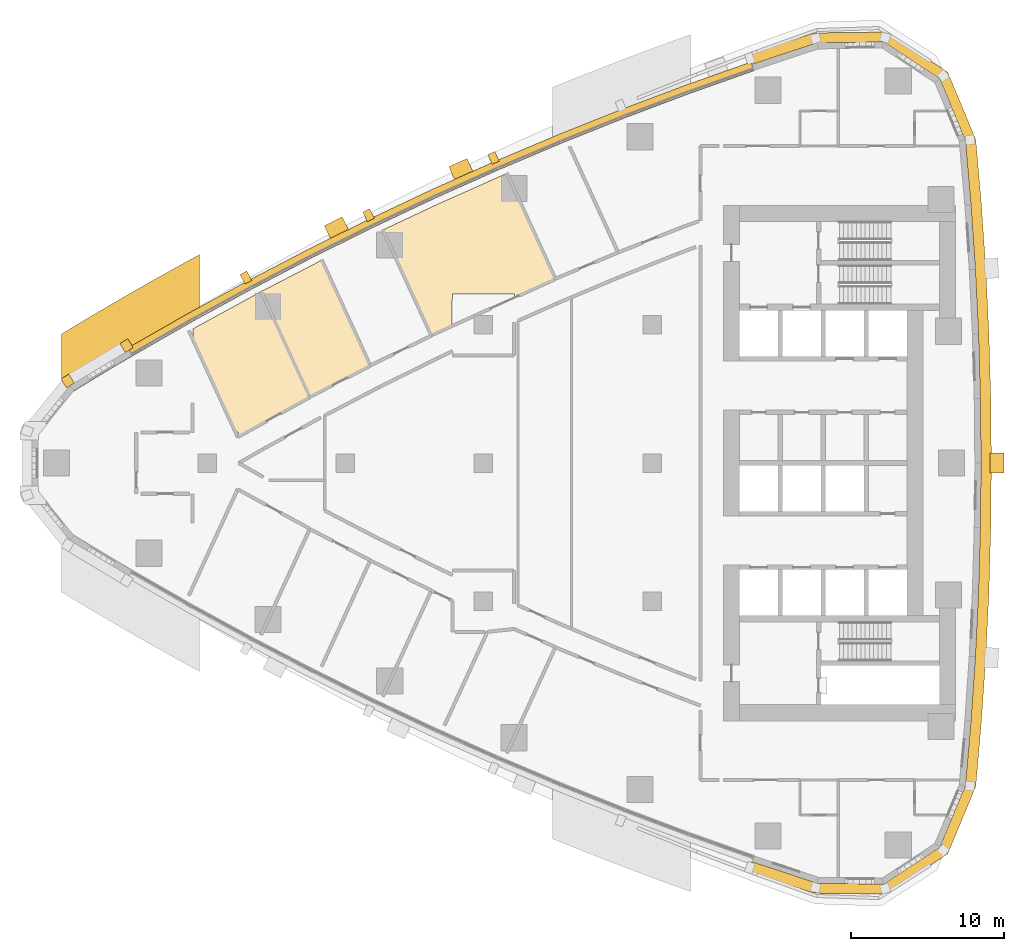
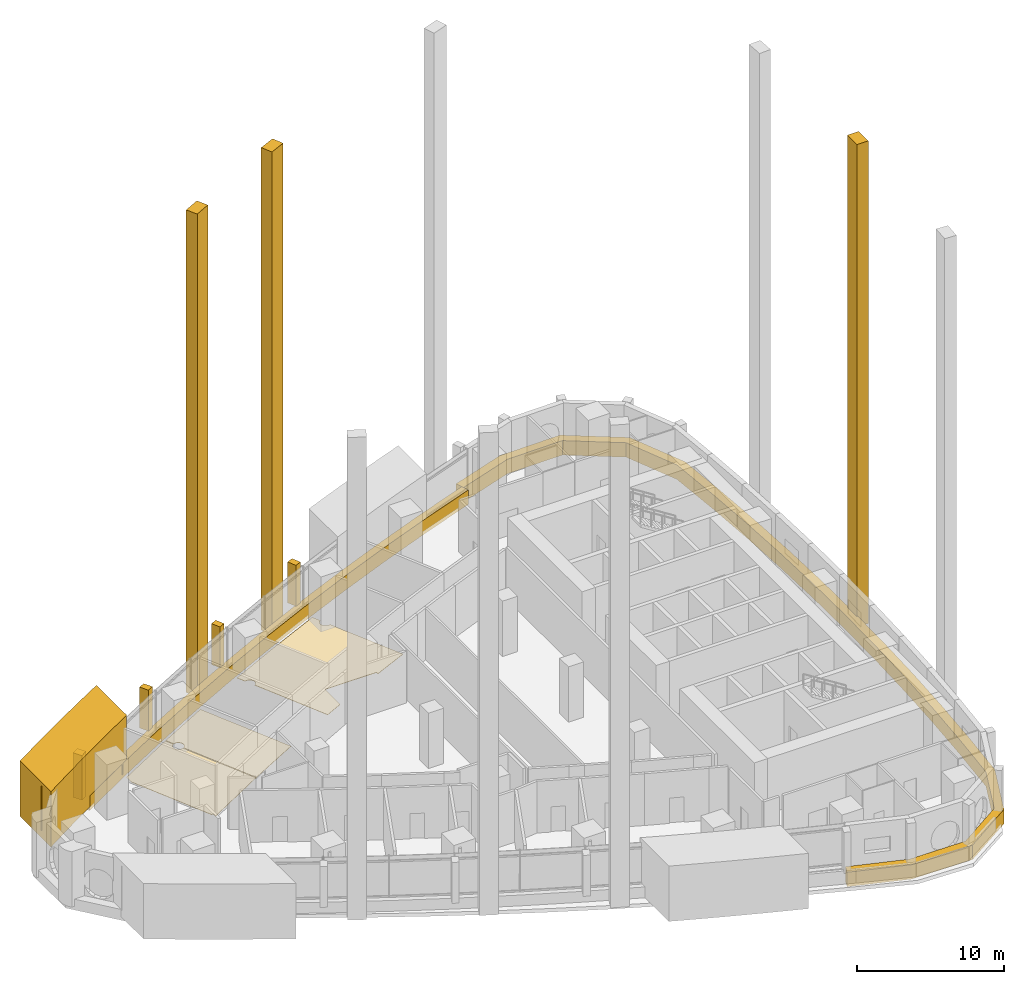
# One storey, part 15 of 17: 14 coverings.
"""IFC4 building model written with IfcOpenShell, lengths in metres."""

from ifc_helpers import new_model, si_unit, direction, frame, frame_2d, origin, place, context, subcontext, project, spatial, polyline, rectangle, outline, extrude, material, layer, layer_set, type_object, element, save


model = new_model("IFC4")

# Units and contexts
model_context = context("Model", 3, precision=1e-05, world=origin(), true_north=direction((0.0, 1.0)))
body_context = subcontext(model_context, "Body", "Model", "MODEL_VIEW")
ifc_project = project(units=[si_unit("LENGTHUNIT", "METRE"), si_unit("AREAUNIT", "SQUARE_METRE"), si_unit("VOLUMEUNIT", "CUBIC_METRE"), si_unit("PLANEANGLEUNIT", "RADIAN"), si_unit("MASSUNIT", "GRAM", prefix="KILO")], contexts=[model_context])

# Site, building, storey
site_placement = place(None, origin())
site = spatial("IfcSite", under=ifc_project, at=site_placement, CompositionType="ELEMENT")
building_placement = place(site_placement, origin())
building = spatial("IfcBuilding", under=site, at=building_placement, Name="Ostrand Prow Hotel Tower", CompositionType="ELEMENT")
storey_placement = place(building_placement, frame((0.0, 0.0, 80.300048828125)))
storey = spatial("IfcBuildingStorey", under=building, at=storey_placement, Name="L18", CompositionType="ELEMENT", Elevation=80.300048828125)

# Coverings
ifc_material_1 = material(Name="Bronze anodised aluminium cladding", Category="aluminium")
ifc_layer_1 = layer(ifc_material_1, 0.60009765625)
ifc_layer_set_1 = layer_set([ifc_layer_1], Name="Bronze anodised aluminium cladding")
covering_type_1 = type_object("IfcCoveringType", Name="Bronze spandrel band 1200x600", PredefinedType="CLADDING", material=ifc_layer_set_1)
covering_1_placement = place(storey_placement, frame((0.0, 0.0, -0.300048828125)))
element("IfcCovering", 1, at=covering_1_placement, inside=storey, type_object=covering_type_1, Name="Spandrel band N1", PredefinedType="CLADDING", context=body_context, shape_type="SweptSolid", body=[
    extrude(outline(polyline([(51.4501953125, 26.1328125), (47.231201171875, 24.64013671875), (43.042724609375, 23.0634765625), (38.88671875, 21.4033203125), (34.764892578125, 19.659912109375), (30.6787109375, 17.834716796875), (26.6298828125, 15.927734375), (22.620361328125, 13.940185546875), (18.651123046875, 11.872802734375), (14.72412109375, 9.726318359375), (10.841064453125, 7.50146484375), (11.144287109375, 6.98388671875), (15.01708984375, 9.20263671875), (18.93359375, 11.343505859375), (22.89208984375, 13.4052734375), (26.89111328125, 15.3876953125), (30.928955078125, 17.289306640625), (35.004150390625, 19.10986328125), (39.114990234375, 20.848388671875), (43.259765625, 22.504150390625), (47.43701171875, 24.076416015625), (51.644775390625, 25.56494140625), (51.4501953125, 26.1328125)])), origin(), (0.0, 0.0, 1.0), 1.199951171875),
])
covering_2_placement = place(storey_placement, frame((0.0, 0.0, -0.300048828125)))
element("IfcCovering", 2, at=covering_2_placement, inside=storey, type_object=covering_type_1, Name="Spandrel band back 1", PredefinedType="CLADDING", context=body_context, shape_type="SweptSolid", body=[
    extrude(outline(polyline([(51.28369140625, -26.619384765625), (55.54150390625, -28.0302734375), (60.2958984375, -28.09033203125), (64.267578125, -25.476806640625), (66.09326171875, -21.086669921875), (66.460693359375, -16.87890625), (66.74658203125, -12.664794921875), (66.950927734375, -8.44580078125), (67.073486328125, -4.2236328125), (67.114501953125, 0.0), (67.073486328125, 4.2236328125), (66.950927734375, 8.44580078125), (66.74658203125, 12.664794921875), (66.460693359375, 16.87890625), (66.09326171875, 21.086669921875), (64.267578125, 25.476806640625), (60.2958984375, 28.09033203125), (55.54150390625, 28.0302734375), (51.28369140625, 26.619384765625), (51.50390625, 25.97607421875), (55.7490234375, 27.3828125), (60.104736328125, 27.437744140625), (63.74365234375, 25.043212890625), (65.41650390625, 21.02099609375), (65.78271484375, 16.826416015625), (66.067626953125, 12.625244140625), (66.271484375, 8.41943359375), (66.393798828125, 4.21044921875), (66.434326171875, 0.0), (66.393798828125, -4.21044921875), (66.271484375, -8.41943359375), (66.067626953125, -12.625244140625), (65.78271484375, -16.826416015625), (65.41650390625, -21.02099609375), (63.74365234375, -25.043212890625), (60.104736328125, -27.437744140625), (55.7490234375, -27.3828125), (51.50390625, -25.97607421875), (51.28369140625, -26.619384765625)])), origin(), (0.0, 0.0, 1.0), 1.199951171875),
])
ifc_material_2 = material(Name="Limestone cladding", Category="masonry")
ifc_layer_2 = layer(ifc_material_2, 5.0)
ifc_layer_set_2 = layer_set([ifc_layer_2], Name="Limestone cladding")
covering_type_2 = type_object("IfcCoveringType", Name="Portal jamb pilaster limestone", PredefinedType="CLADDING", material=ifc_layer_set_2)
covering_3_placement = place(storey_placement, origin())
element("IfcCovering", 3, at=covering_3_placement, inside=storey, type_object=covering_type_2, Name="Portal jamb NA L18", PredefinedType="CLADDING", context=body_context, shape_type="SweptSolid", body=[
    extrude(outline(polyline([(6.5, 4.184326171875), (7.5, 4.80029296875), (8.5, 5.40869140625), (9.5, 6.01025390625), (10.5, 6.6044921875), (11.5, 7.19189453125), (12.5, 7.772216796875), (13.5, 8.345703125), (14.5, 8.912353515625), (15.5, 9.47216796875), (15.5, 13.581787109375), (14.5, 13.03369140625), (13.5, 12.478759765625), (12.5, 11.91748046875), (11.5, 11.349365234375), (10.5, 10.7744140625), (9.5, 10.19287109375), (8.5, 9.604248046875), (7.5, 9.0087890625), (6.5, 8.40625), (6.5, 4.184326171875)])), origin(), (0.0, 0.0, 1.0), 4.599853515625),
])
ifc_material_3 = material(Name="Limestone cladding", Category="masonry")
ifc_layer_3 = layer(ifc_material_3, 1.300048828125)
ifc_layer_set_3 = layer_set([ifc_layer_3], Name="Limestone cladding")
covering_type_3 = type_object("IfcCoveringType", Name="Precast stone fin 1300x1500", PredefinedType="CLADDING", material=ifc_layer_set_3)
covering_4_placement = place(storey_placement, frame((32.71728515625, 18.757568359375, 0.0), z_axis=(0.0, 0.0, 1.0), x_axis=(-0.407949683622, 0.913004411617, 0.0)))
element("IfcCovering", 4, at=covering_4_placement, inside=storey, type_object=covering_type_3, Name="Stone fin N zone 2 5", PredefinedType="CLADDING", context=body_context, shape_type="SweptSolid", body=[
    extrude(rectangle(XDim=0.900146484375, YDim=1.300048828125, at=frame_2d((0.4501953125, 0.0))), origin(), (0.0, 0.0, 1.0), 40.099853515625),
])
for number, where, z_axis, x_axis, name in (
    (5, (24.6201171875, 14.944091796875, 0.0), (0.0, 0.0, 1.0), (-0.444064130317, 0.895995004543, 0.0), "Stone fin N zone 2 7"),
    (6, (67.034423828125, 0.0, 0.0), (0.0, 0.0, 1.0), (1.0, 0.0, 0.0), "Stone fin back zone 2 10"),
):
    element("IfcCovering", number, at=place(storey_placement, frame(where, z_axis=z_axis, x_axis=x_axis)), inside=storey, type_object=covering_type_3, Name=name, PredefinedType="CLADDING", context=body_context, shape_type="SweptSolid", body=[
        extrude(rectangle(XDim=0.89990234375, YDim=1.300048828125, at=frame_2d((0.449951171875, 0.0))), origin(), (0.0, 0.0, 1.0), 40.099853515625),
    ])
ifc_material_4 = material(Name="Limestone cladding", Category="masonry")
ifc_layer_4 = layer(ifc_material_4, 0.5)
ifc_layer_set_4 = layer_set([ifc_layer_4], Name="Limestone cladding")
covering_type_4 = type_object("IfcCoveringType", Name="Precast stone fin 500x600", PredefinedType="CLADDING", material=ifc_layer_set_4)
covering_5_placement = place(storey_placement, frame((34.8046875, 19.568359375, 0.89990234375), z_axis=(0.0, 0.0, 1.0), x_axis=(-0.398713356045, 0.917075601961, 0.0)))
element("IfcCovering", 7, at=covering_5_placement, inside=storey, type_object=covering_type_4, Name="Stone fin N 5", PredefinedType="CLADDING", context=body_context, shape_type="SweptSolid", body=[
    extrude(rectangle(XDim=0.699951171875, YDim=0.5, at=frame_2d((0.35009765625, 0.0))), origin(), (0.0, 0.0, 1.0), 3.400146484375),
])
covering_6_placement = place(storey_placement, frame((26.673583984375, 15.837646484375, 0.89990234375), z_axis=(0.0, 0.0, 1.0), x_axis=(-0.435178082729, 0.900344398723, 0.0)))
element("IfcCovering", 8, at=covering_6_placement, inside=storey, type_object=covering_type_4, Name="Stone fin N 7", PredefinedType="CLADDING", context=body_context, shape_type="SweptSolid", body=[
    extrude(rectangle(XDim=0.7001953125, YDim=0.5, at=frame_2d((0.35009765625, 0.0))), origin(), (0.0, 0.0, 1.0), 3.400146484375),
])
covering_7_placement = place(storey_placement, frame((18.6982421875, 11.78466796875, 0.89990234375), z_axis=(0.0, 0.0, 1.0), x_axis=(-0.470914095304, 0.882179071869, 0.0)))
element("IfcCovering", 9, at=covering_7_placement, inside=storey, type_object=covering_type_4, Name="Stone fin N 9", PredefinedType="CLADDING", context=body_context, shape_type="SweptSolid", body=[
    extrude(rectangle(XDim=0.699951171875, YDim=0.5, at=frame_2d((0.35009765625, 0.0))), origin(), (0.0, 0.0, 1.0), 3.400146484375),
])
ifc_material_5 = material(Name="Limestone cladding", Category="masonry")
ifc_layer_5 = layer(ifc_material_5, 0.60009765625)
ifc_layer_set_5 = layer_set([ifc_layer_5], Name="Limestone cladding")
covering_type_5 = type_object("IfcCoveringType", Name="Precast stone prow rib 600x600", PredefinedType="CLADDING", material=ifc_layer_set_5)
covering_8_placement = place(storey_placement, frame((10.9248046875, 7.358642578125, 0.599853515625), z_axis=(0.0, 0.0, 1.0), x_axis=(-0.505811626043, 0.862643958397, 0.0)))
element("IfcCovering", 10, at=covering_8_placement, inside=storey, type_object=covering_type_5, Name="Stone prow rib 1", PredefinedType="CLADDING", context=body_context, shape_type="SweptSolid", body=[
    extrude(rectangle(XDim=0.68017578125, YDim=0.60009765625, at=frame_2d((0.340087890625, 0.0))), origin(), (0.0, 0.0, 1.0), 3.7001953125),
])
covering_9_placement = place(storey_placement, frame((7.089599609375, 5.058349609375, 0.599853515625), z_axis=(0.0, 0.0, 1.0), x_axis=(-0.522814637618, 0.852446394029, 0.0)))
element("IfcCovering", 11, at=covering_9_placement, inside=storey, type_object=covering_type_5, Name="Stone prow rib 2", PredefinedType="CLADDING", context=body_context, shape_type="SweptSolid", body=[
    extrude(rectangle(XDim=0.679931640625, YDim=0.60009765625, at=frame_2d((0.33984375, 0.0))), origin(), (0.0, 0.0, 1.0), 3.7001953125),
])
ifc_material_6 = material(Name="Polished limestone", Category="masonry")
ifc_layer_6 = layer(ifc_material_6, 0.030029296875)
ifc_layer_set_6 = layer_set([ifc_layer_6], Name="Polished limestone")
covering_type_6 = type_object("IfcCoveringType", Name="Stone floor finish 30 mm", PredefinedType="FLOORING", material=ifc_layer_set_6)
covering_10_placement = place(storey_placement, origin())
element("IfcCovering", 12, at=covering_10_placement, inside=storey, type_object=covering_type_6, Name="Floor finish Bar", PredefinedType="FLOORING", context=body_context, shape_type="SweptSolid", body=[
    extrude(outline(polyline([(15.07861328125, 8.747314453125), (15.07861328125, 8.098876953125), (17.868896484375, 2.024658203125), (18.024658203125, 2.021484375), (18.02490234375, 1.734130859375), (22.6708984375, 4.297607421875), (20.129150390625, 9.830322265625), (20.0966796875, 9.81884765625), (20.05859375, 9.809326171875), (20.019775390625, 9.803466796875), (19.980712890625, 9.801513671875), (19.94140625, 9.803466796875), (19.902587890625, 9.809326171875), (19.864501953125, 9.81884765625), (19.827392578125, 9.83203125), (19.7919921875, 9.848876953125), (19.75830078125, 9.868896484375), (19.726806640625, 9.892333984375), (19.69775390625, 9.918701171875), (19.67138671875, 9.94775390625), (19.64794921875, 9.9794921875), (19.627685546875, 10.012939453125), (19.611083984375, 10.048583984375), (19.597900390625, 10.08544921875), (19.58837890625, 10.12353515625), (19.58251953125, 10.162353515625), (19.58056640625, 10.20166015625), (19.58251953125, 10.24072265625), (19.58837890625, 10.279541015625), (19.597900390625, 10.317626953125), (19.611083984375, 10.354736328125), (19.627685546875, 10.39013671875), (19.64794921875, 10.423828125), (19.67138671875, 10.455322265625), (19.69775390625, 10.484375), (19.726806640625, 10.5107421875), (19.75830078125, 10.5341796875), (19.7919921875, 10.554443359375), (19.7958984375, 10.55615234375), (19.51318359375, 11.17138671875), (15.07861328125, 8.747314453125)])), origin(), (0.0, 0.0, 1.0), 0.030029296875),
])
covering_11_placement = place(storey_placement, origin())
element("IfcCovering", 13, at=covering_11_placement, inside=storey, type_object=covering_type_6, Name="Floor finish Bar", PredefinedType="FLOORING", context=body_context, shape_type="SweptSolid", body=[
    extrude(outline(polyline([(26.613525390625, 6.34765625), (23.4580078125, 13.216796875), (19.552978515625, 11.1923828125), (19.8369140625, 10.574462890625), (19.864501953125, 10.58447265625), (19.902587890625, 10.593994140625), (19.94140625, 10.599609375), (19.980712890625, 10.6015625), (20.019775390625, 10.599609375), (20.05859375, 10.593994140625), (20.0966796875, 10.58447265625), (20.1337890625, 10.5712890625), (20.169189453125, 10.554443359375), (20.202880859375, 10.5341796875), (20.234375, 10.5107421875), (20.263427734375, 10.484375), (20.289794921875, 10.455322265625), (20.313232421875, 10.423828125), (20.33349609375, 10.39013671875), (20.35009765625, 10.354736328125), (20.36328125, 10.317626953125), (20.372802734375, 10.279541015625), (20.378662109375, 10.24072265625), (20.380615234375, 10.20166015625), (20.378662109375, 10.162353515625), (20.372802734375, 10.12353515625), (20.36328125, 10.08544921875), (20.35009765625, 10.048583984375), (20.33349609375, 10.012939453125), (20.313232421875, 9.9794921875), (20.289794921875, 9.94775390625), (20.263427734375, 9.918701171875), (20.234375, 9.892333984375), (20.202880859375, 9.868896484375), (20.169921875, 9.849365234375), (22.71044921875, 4.318603515625), (26.613525390625, 6.34765625)])), origin(), (0.0, 0.0, 1.0), 0.030029296875),
])
covering_12_placement = place(storey_placement, origin())
element("IfcCovering", 14, at=covering_12_placement, inside=storey, type_object=covering_type_6, Name="Floor finish Restaurant", PredefinedType="FLOORING", context=body_context, shape_type="SweptSolid", body=[
    extrude(outline(polyline([(35.80322265625, 18.256103515625), (35.5205078125, 18.87158203125), (31.10400390625, 16.907470703125), (27.48046875, 15.20068359375), (27.76318359375, 14.585205078125), (27.791015625, 14.594970703125), (27.8291015625, 14.6044921875), (27.867919921875, 14.6103515625), (27.906982421875, 14.6123046875), (27.9462890625, 14.6103515625), (27.985107421875, 14.6044921875), (28.023193359375, 14.594970703125), (28.060302734375, 14.581787109375), (28.095703125, 14.56494140625), (28.12939453125, 14.544921875), (28.160888671875, 14.521484375), (28.18994140625, 14.4951171875), (28.21630859375, 14.466064453125), (28.23974609375, 14.434326171875), (28.260009765625, 14.40087890625), (28.276611328125, 14.365234375), (28.289794921875, 14.328369140625), (28.29931640625, 14.290283203125), (28.30517578125, 14.25146484375), (28.30712890625, 14.212158203125), (28.30517578125, 14.173095703125), (28.29931640625, 14.13427734375), (28.289794921875, 14.09619140625), (28.276611328125, 14.05908203125), (28.260009765625, 14.023681640625), (28.23974609375, 13.989990234375), (28.21630859375, 13.95849609375), (28.18994140625, 13.929443359375), (28.160888671875, 13.903076171875), (28.12939453125, 13.879638671875), (28.096435546875, 13.85986328125), (30.63623046875, 8.330810546875), (31.97509765625, 8.966796875), (31.97802734375, 11.024658203125), (36.02001953125, 11.02490234375), (36.0244140625, 10.830810546875), (38.67578125, 12.00341796875), (36.13671875, 17.5302734375), (36.104248046875, 17.518798828125), (36.066162109375, 17.50927734375), (36.02734375, 17.50341796875), (35.98828125, 17.50146484375), (35.948974609375, 17.50341796875), (35.91015625, 17.50927734375), (35.8720703125, 17.518798828125), (35.835205078125, 17.531982421875), (35.799560546875, 17.548583984375), (35.76611328125, 17.56884765625), (35.734375, 17.59228515625), (35.705322265625, 17.61865234375), (35.678955078125, 17.647705078125), (35.655517578125, 17.67919921875), (35.635498046875, 17.712890625), (35.61865234375, 17.748291015625), (35.60546875, 17.785400390625), (35.595947265625, 17.823486328125), (35.590087890625, 17.8623046875), (35.588134765625, 17.901611328125), (35.590087890625, 17.940673828125), (35.595947265625, 17.9794921875), (35.60546875, 18.017578125), (35.61865234375, 18.0546875), (35.635498046875, 18.090087890625), (35.655517578125, 18.123779296875), (35.678955078125, 18.1552734375), (35.705322265625, 18.184326171875), (35.734375, 18.210693359375), (35.76611328125, 18.234130859375), (35.799560546875, 18.25439453125), (35.80322265625, 18.256103515625)])), origin(), (0.0, 0.0, 1.0), 0.030029296875),
])

save(model, "model.ifc")
